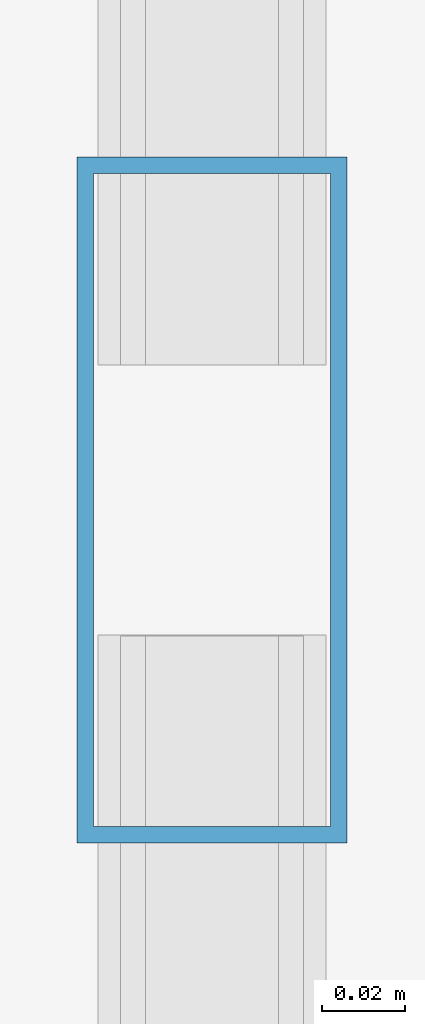
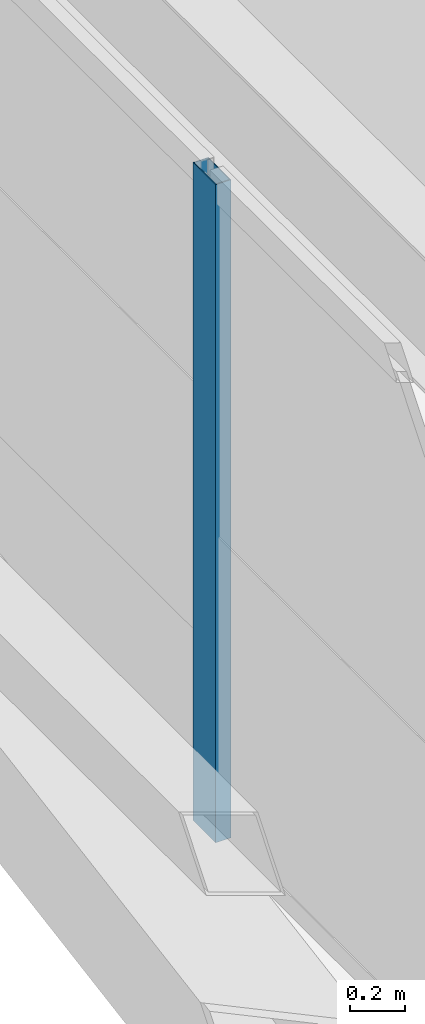
# One storey, part 16 of 58: 1 member, 1 element without a shape of its own.
"""IFC4 building model written with IfcOpenShell, lengths in metres."""

import ifcopenshell
import ifcopenshell.guid

model = None  # the IFC model being written
_history = None  # IfcOwnerHistory: only IFC2X3 demands one
_inside = {}  # id of a spatial element -> (the spatial element, [elements in it])
_under = {}  # id of a project, library or spatial element -> (it, [spatial elements below it])
_declared = {}  # id of a project -> (the project, [libraries it declares])
_typed = {}  # id of a type object -> (the type object, [elements of that type])
_made_of = {}  # id of a material, layer set ... -> (it, [elements and type objects made of it])


def new_model(schema):
    """Start an empty IFC model of exactly this schema.

    Asked for "IFC4X3", IfcOpenShell would pick the latest addendum, in which some entities
    have other attributes; the version numbers below select the first issue.
    IFC2X3 requires an IfcOwnerHistory on every rooted entity: one is made here for all.
    """
    global model, _history
    if schema == "IFC4X3":
        model = ifcopenshell.file(schema_version=(4, 3, 0, 0))
    else:
        model = ifcopenshell.file(schema=schema)
    _inside.clear()
    _under.clear()
    _declared.clear()
    _typed.clear()
    _made_of.clear()
    _history = None
    if model.schema == "IFC2X3":
        org = make("IfcOrganization", Name="unknown")
        user = make(
            "IfcPersonAndOrganization",
            ThePerson=make("IfcPerson", FamilyName="unknown"),
            TheOrganization=org,
        )
        app = make(
            "IfcApplication",
            ApplicationDeveloper=org,
            Version="unknown",
            ApplicationFullName="unknown",
            ApplicationIdentifier="unknown",
        )
        _history = make(
            "IfcOwnerHistory",
            OwningUser=user,
            OwningApplication=app,
            ChangeAction="ADDED",
            CreationDate=0,
        )
    return model


def make(cls, **values):
    """One entity of the class cls with the attributes given. An attribute that is None is left unset."""
    return model.create_entity(
        cls, **{name: value for name, value in values.items() if value is not None}
    )


def rooted(cls, **values):
    """An entity with a GlobalId (a new one), such as an element, a storey or a relation."""
    return make(cls, GlobalId=ifcopenshell.guid.new(), OwnerHistory=_history, **values)


def si_unit(unit_type, name, prefix=None):
    """IfcSIUnit, for example si_unit("LENGTHUNIT", "METRE", prefix="MILLI")."""
    return make("IfcSIUnit", UnitType=unit_type, Prefix=prefix, Name=name)


def assignment(units):
    """IfcUnitAssignment: the units of a project."""
    return None if units is None else make("IfcUnitAssignment", Units=units)


def point(xyz):
    """IfcCartesianPoint."""
    return None if xyz is None else make("IfcCartesianPoint", Coordinates=xyz)


def direction(xyz):
    """IfcDirection."""
    return None if xyz is None else make("IfcDirection", DirectionRatios=xyz)


def frame(location, z_axis=None, x_axis=None):
    """IfcAxis2Placement3D, a coordinate frame: its origin and axes. An axis left out is left unset."""
    return make(
        "IfcAxis2Placement3D",
        Location=point(location),
        Axis=direction(z_axis),
        RefDirection=direction(x_axis),
    )


def frame_2d(location, x_axis=None):
    """IfcAxis2Placement2D, a coordinate frame in the plane: its origin and x axis."""
    return make(
        "IfcAxis2Placement2D", Location=point(location), RefDirection=direction(x_axis)
    )


def origin():
    """The frame at (0, 0, 0) with its axes left unset."""
    return frame((0.0, 0.0, 0.0))


def origin_2d():
    """The frame at (0, 0) in the plane with its x axis left unset."""
    return frame_2d((0.0, 0.0))


def place(relative_to, where):
    """IfcLocalPlacement: puts the frame where relative to a parent placement (None: the world)."""
    return make(
        "IfcLocalPlacement", PlacementRelTo=relative_to, RelativePlacement=where
    )


def context(
    kind, dimensions, precision=None, world=None, true_north=None, identifier=None
):
    """IfcGeometricRepresentationContext, for example the 3D "Model" context."""
    return make(
        "IfcGeometricRepresentationContext",
        ContextIdentifier=identifier,
        ContextType=kind,
        CoordinateSpaceDimension=dimensions,
        Precision=precision,
        WorldCoordinateSystem=world,
        TrueNorth=true_north,
    )


def subcontext(parent, identifier, kind, view, scale=None):
    """IfcGeometricRepresentationSubContext, for example "Body" below "Model"."""
    return make(
        "IfcGeometricRepresentationSubContext",
        ContextIdentifier=identifier,
        ContextType=kind,
        ParentContext=parent,
        TargetScale=scale,
        TargetView=view,
    )


def project(units=None, contexts=None):
    """IfcProject with its units and contexts."""
    return rooted(
        "IfcProject",
        Name="project",
        RepresentationContexts=contexts,
        UnitsInContext=assignment(units),
    )


def spatial(cls, under=None, at=None, **own):
    """A site, building, storey or space (cls), placed at a placement, below another one or the project."""
    s = rooted(cls, ObjectPlacement=at, **own)
    if under is not None:
        _under.setdefault(under.id(), (under, []))[1].append(s)
    return s


def profile(cls, at=None, kind="AREA", **sizes):
    """A parametric profile (cls). Its sizes go by their IFC names, for example OverallWidth=200.0."""
    return make(cls, ProfileType=kind, Position=at, **sizes)


def hollow_rectangle(**sizes):
    """IfcRectangleHollowProfileDef."""
    return profile("IfcRectangleHollowProfileDef", **sizes)


def extrude(swept, where, along, depth):
    """IfcExtrudedAreaSolid: the profile swept, set in the frame where, extruded along a direction by depth."""
    return make(
        "IfcExtrudedAreaSolid",
        SweptArea=swept,
        Position=where,
        ExtrudedDirection=direction(along),
        Depth=depth,
    )


def shape(context_of_items, identifier, shape_type, items):
    """IfcShapeRepresentation: the items that make up one representation, for example the "Body"."""
    return make(
        "IfcShapeRepresentation",
        ContextOfItems=context_of_items,
        RepresentationIdentifier=identifier,
        RepresentationType=shape_type,
        Items=items,
    )


def source(mapping_origin, context_of_items, identifier, shape_type, items):
    """IfcRepresentationMap: a shape defined once, which mapped items show again and again."""
    return make(
        "IfcRepresentationMap",
        MappingOrigin=mapping_origin,
        MappedRepresentation=shape(context_of_items, identifier, shape_type, items),
    )


def transform(
    local_origin,
    x_axis=None,
    y_axis=None,
    z_axis=None,
    scale=None,
    scale2=None,
    scale3=None,
    uniform=True,
):
    """IfcCartesianTransformationOperator3D, or its non-uniform kind. x_axis, y_axis, z_axis: its Axis1, 2, 3."""
    if uniform:
        return make(
            "IfcCartesianTransformationOperator3D",
            Axis1=direction(x_axis),
            Axis2=direction(y_axis),
            LocalOrigin=point(local_origin),
            Scale=scale,
            Axis3=direction(z_axis),
        )
    return make(
        "IfcCartesianTransformationOperator3DnonUniform",
        Axis1=direction(x_axis),
        Axis2=direction(y_axis),
        LocalOrigin=point(local_origin),
        Scale=scale,
        Axis3=direction(z_axis),
        Scale2=scale2,
        Scale3=scale3,
    )


def mapped(mapping_source, mapping_target):
    """IfcMappedItem: shows the shape of a source again, moved by a transform."""
    return make(
        "IfcMappedItem", MappingSource=mapping_source, MappingTarget=mapping_target
    )


def material(Name=None, Category=None):
    """IfcMaterial."""
    return make("IfcMaterial", Name=Name, Category=Category)


def layer(
    of_material, thickness, ventilated=None, Name=None, Category=None, Priority=None
):
    """IfcMaterialLayer: one layer of a wall or slab, of a material (None: an air gap)."""
    return make(
        "IfcMaterialLayer",
        Material=of_material,
        LayerThickness=thickness,
        IsVentilated=ventilated,
        Name=Name,
        Category=Category,
        Priority=Priority,
    )


def layer_set(layers, Name=None):
    """IfcMaterialLayerSet."""
    return make("IfcMaterialLayerSet", MaterialLayers=layers, LayerSetName=Name)


def material_profile(
    of_material, cross_section, Name=None, Category=None, Priority=None
):
    """IfcMaterialProfile: a cross section and its material."""
    return make(
        "IfcMaterialProfile",
        Name=Name,
        Material=of_material,
        Profile=cross_section,
        Priority=Priority,
        Category=Category,
    )


def profile_set(profiles, Name=None, composite=None):
    """IfcMaterialProfileSet."""
    return make(
        "IfcMaterialProfileSet",
        Name=Name,
        MaterialProfiles=profiles,
        CompositeProfile=composite,
    )


def made_of(thing, what):
    """Note that an element or type object is made of a material, layer set ...; save() writes the relation."""
    if what is not None:
        _made_of.setdefault(what.id(), (what, []))[1].append(thing)
    return thing


def type_object(cls, material=None, **own):
    """A type object (cls), such as IfcWallType, which elements share."""
    return made_of(rooted(cls, **own), material)


def element(
    cls,
    number,
    at=None,
    inside=None,
    cuts=None,
    type_object=None,
    material=None,
    context=None,
    identifier="Body",
    shape_type=None,
    held_by="IfcProductDefinitionShape",
    body=None,
    shapes=None,
    **own,
):
    """One element of the class cls, such as IfcWall. Its Tag is "e" and its number.

    at: its placement. inside: the storey or other place that contains it. cuts: it is an
    opening in that element (IfcRelVoidsElement). A single representation is given by context,
    identifier, shape_type and body (its items); several are given by shapes. held_by: the class
    of the entity that holds the representations. save() writes the other relations.
    """
    e = rooted(cls, Tag="e%d" % number, ObjectPlacement=at, **own)
    if body is not None:
        shapes = [shape(context, identifier, shape_type, body)]
    if shapes is not None:
        e.Representation = make(held_by, Representations=shapes)
    if inside is not None:
        _inside.setdefault(inside.id(), (inside, []))[1].append(e)
    if cuts is not None:
        rooted(
            "IfcRelVoidsElement", RelatingBuildingElement=cuts, RelatedOpeningElement=e
        )
    if type_object is not None:
        _typed.setdefault(type_object.id(), (type_object, []))[1].append(e)
    return made_of(e, material)


def aggregate(whole, parts):
    """IfcRelAggregates: a whole, such as a stair, and the parts it consists of."""
    return rooted("IfcRelAggregates", RelatingObject=whole, RelatedObjects=parts)


def save(model, path):
    """Write the relations noted so far, then the file.

    IfcRelAggregates (storeys below a building ...), IfcRelContainedInSpatialStructure (elements
    in a storey), IfcRelDefinesByType, IfcRelAssociatesMaterial and IfcRelDeclares: one each for
    every whole, place, type object, material and project.
    """
    for whole, parts in _under.values():
        aggregate(whole, parts)
    for where, things in _inside.values():
        rooted(
            "IfcRelContainedInSpatialStructure",
            RelatedElements=things,
            RelatingStructure=where,
        )
    for kind, things in _typed.values():
        rooted("IfcRelDefinesByType", RelatedObjects=things, RelatingType=kind)
    for what, things in _made_of.values():
        rooted("IfcRelAssociatesMaterial", RelatedObjects=things, RelatingMaterial=what)
    for by, libraries in _declared.values():
        rooted("IfcRelDeclares", RelatingContext=by, RelatedDefinitions=libraries)
    model.write(path)


model = new_model("IFC4")

# Units and contexts
model_context = context("Model", 3, precision=1e-05, world=origin(), true_north=direction((0.0, 1.0)))
body_context = subcontext(model_context, "Body", "Model", "MODEL_VIEW")
ifc_project = project(units=[si_unit("LENGTHUNIT", "METRE"), si_unit("AREAUNIT", "SQUARE_METRE"), si_unit("VOLUMEUNIT", "CUBIC_METRE"), si_unit("PLANEANGLEUNIT", "RADIAN"), si_unit("MASSUNIT", "GRAM", prefix="KILO")], contexts=[model_context])

# Site, building, storey
site_placement = place(None, origin())
site = spatial("IfcSite", under=ifc_project, at=site_placement, CompositionType="ELEMENT")
building_placement = place(site_placement, origin())
building = spatial("IfcBuilding", under=site, at=building_placement, Name="Taldren Reach Tower", CompositionType="ELEMENT")
storey_placement = place(building_placement, frame((0.0, 0.0, 51.449951171875)))
storey = spatial("IfcBuildingStorey", under=building, at=storey_placement, Name="L15", CompositionType="ELEMENT", Elevation=51.449951171875)

# Curtain wall, member
ifc_material_1 = material(Name="Aluminium and Low-E Glass Unitised System", Category="aluminium")
ifc_layer = layer(ifc_material_1, 0.159912109375)
ifc_layer_set = layer_set([ifc_layer], Name="Aluminium and Low-E Glass Unitised System")
curtain_wall_type = type_object("IfcCurtainWallType", Name="CW-SYS-2", PredefinedType="NOTDEFINED", material=ifc_layer_set)
curtain_wall_placement = place(storey_placement, origin())
curtain_wall = element("IfcCurtainWall", 1, at=curtain_wall_placement, inside=storey, type_object=curtain_wall_type, Name="Unitised curtain wall CW-L15-W", PredefinedType="NOTDEFINED")
ifc_material_2 = material(Name="Anodised Aluminium 6063-T6", Category="aluminium")
ifc_material_profile = material_profile(ifc_material_2, hollow_rectangle(XDim=0.06494140625, YDim=0.1650390625, WallThickness=0.00390625, at=origin_2d()), Name="ALU-165x65x4RHS")
ifc_profile_set = profile_set([ifc_material_profile], Name="Anodised Aluminium 6063-T6")
member_type = type_object("IfcMemberType", Name="CW-MUL-165", PredefinedType="MULLION", material=ifc_profile_set)
shared_shape = source(origin(), body_context, "Body", "SweptSolid", [
    extrude(hollow_rectangle(XDim=0.06494140625, YDim=0.1650390625, WallThickness=0.00390625, at=origin_2d()), origin(), (0.0, 0.0, 1.0), 2.929931640625),
])
member_placement = place(storey_placement, frame((5.139892578125, 25.166748046875, 0.0), z_axis=(0.0, 0.0, 1.0), x_axis=(1.0, 0.0, 0.0)))
member = element("IfcMember", 2, at=member_placement, type_object=member_type, Name="CW-2 mullion 4", PredefinedType="MULLION", context=body_context, shape_type="MappedRepresentation", body=[
    mapped(shared_shape, transform((0.0, 0.0, 0.0), scale=1.0)),
])
aggregate(curtain_wall, [member])

save(model, "model.ifc")
